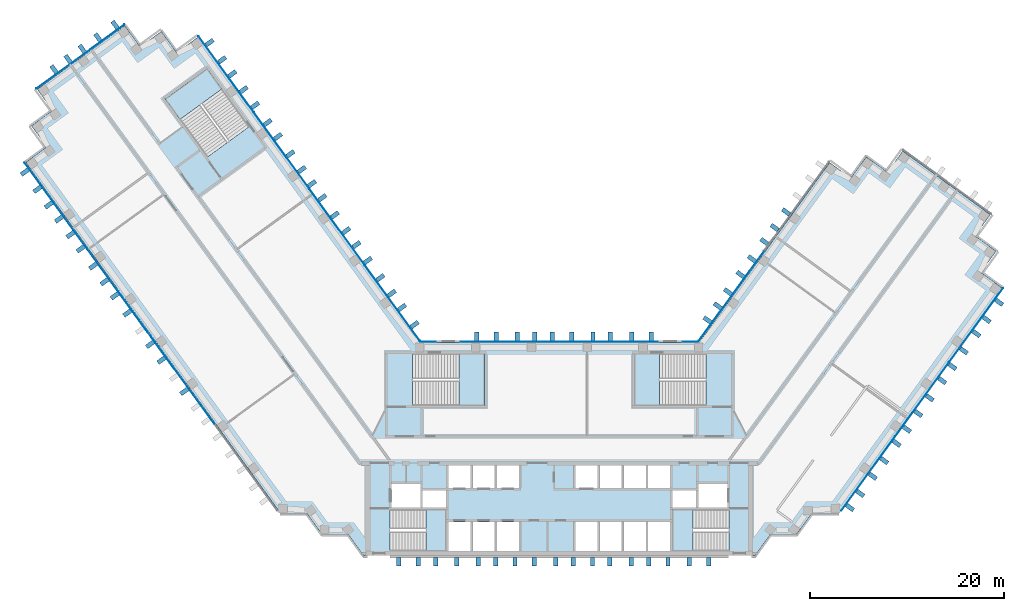
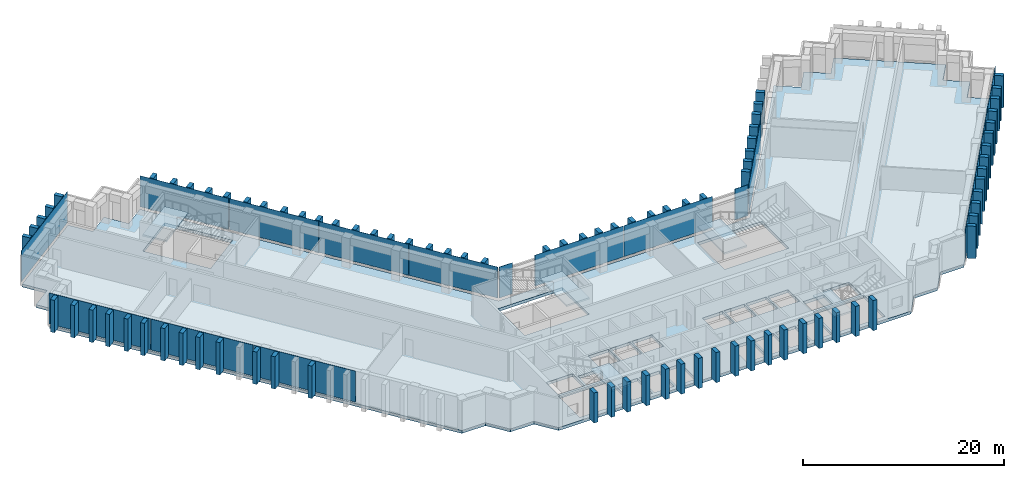
"""IFC4 building model written with IfcOpenShell, lengths in metres."""

from ifc_helpers import new_model, si_unit, direction, frame, origin, origin_2d, place, context, subcontext, project, spatial, polyline, rectangle, outline, extrude, material, layer, layer_set, type_object, element, aggregate, save


model = new_model("IFC4")

# Units and contexts
model_context = context("Model", 3, precision=1e-05, world=origin(), true_north=direction((0.0, 1.0)))
body_context = subcontext(model_context, "Body", "Model", "MODEL_VIEW")
ifc_project = project(units=[si_unit("LENGTHUNIT", "METRE"), si_unit("AREAUNIT", "SQUARE_METRE"), si_unit("VOLUMEUNIT", "CUBIC_METRE"), si_unit("PLANEANGLEUNIT", "RADIAN"), si_unit("MASSUNIT", "GRAM", prefix="KILO")], contexts=[model_context])

# Site, building, storey
site_placement = place(None, origin())
site = spatial("IfcSite", under=ifc_project, at=site_placement, CompositionType="ELEMENT")
building_placement = place(site_placement, origin())
building = spatial("IfcBuilding", under=site, at=building_placement, Name="Quipu Civic Tower", CompositionType="ELEMENT")
storey_1_placement = place(building_placement, frame((0.0, 0.0, 109.0)))
storey_1 = spatial("IfcBuildingStorey", under=building, at=storey_1_placement, Name="L25", CompositionType="ELEMENT", Elevation=109.0)

# Slab
ifc_material_1 = material(Name="Concrete C40/50", Category="concrete")
ifc_layer_1 = layer(ifc_material_1, 0.35009765625)
ifc_layer_set_1 = layer_set([ifc_layer_1], Name="Concrete C40/50")
slab_type_1 = type_object("IfcSlabType", Name="Floor slab 350 C40/50", PredefinedType="FLOOR", material=ifc_layer_set_1)
slab_1_placement = place(storey_1_placement, frame((0.0, 0.0, -0.35009765625)))
element("IfcSlab", 1, at=slab_1_placement, inside=storey_1, type_object=slab_type_1, Name="Floor slab L25", PredefinedType="FLOOR", context=body_context, shape_type="SweptSolid", body=[
    extrude(outline(polyline([(27.909912109375, 29.60498046875), (30.094970703125, 28.014892578125), (31.68505859375, 30.199951171875), (33.864990234375, 28.614990234375), (35.455078125, 30.800048828125), (44.514892578125, 24.215087890625), (42.929931640625, 22.030029296875), (45.114990234375, 20.445068359375), (43.52490234375, 18.260009765625), (45.7099609375, 16.669921875), (28.780029296875, -6.6298828125), (26.080078125, -6.6298828125), (24.489990234375, -8.81494140625), (21.7900390625, -8.81494140625), (20.205078125, -11.0), (-20.205078125, -11.0), (-21.7900390625, -8.81494140625), (-24.489990234375, -8.81494140625), (-26.080078125, -6.6298828125), (-28.780029296875, -6.6298828125), (-55.114990234375, 29.614990234375), (-52.929931640625, 31.205078125), (-54.514892578125, 33.389892578125), (-52.3349609375, 34.97509765625), (-53.919921875, 37.159912109375), (-44.860107421875, 43.739990234375), (-43.27001953125, 41.56005859375), (-41.0849609375, 43.14501953125), (-39.5, 40.9599609375), (-37.31494140625, 42.550048828125), (-14.39501953125, 11.0), (14.39501953125, 11.0), (27.909912109375, 29.60498046875)]), holes=[polyline([(-11.449951171875, -7.5), (-11.449951171875, -10.5), (-9.14990234375, -10.5), (-9.14990234375, -7.5), (-11.449951171875, -7.5)]), polyline([(-8.949951171875, -7.5), (-8.949951171875, -10.5), (-6.64990234375, -10.5), (-6.64990234375, -7.5), (-8.949951171875, -7.5)]), polyline([(-6.449951171875, -7.5), (-6.449951171875, -10.5), (-4.14990234375, -10.5), (-4.14990234375, -7.5), (-6.449951171875, -7.5)]), polyline([(-11.705078125, -10.4951171875), (-11.705078125, -6.2548828125), (-17.4951171875, -6.2548828125), (-17.4951171875, -10.4951171875), (-11.705078125, -10.4951171875)]), polyline([(-11.699951171875, -4.25), (-14.10009765625, -4.25), (-14.10009765625, -6.0), (-11.699951171875, -6.0), (-11.699951171875, -4.25)]), polyline([(-17.35009765625, -3.60009765625), (-17.35009765625, -6.0), (-14.35009765625, -6.0), (-14.35009765625, -3.60009765625), (-17.35009765625, -3.60009765625)]), polyline([(-9.14990234375, -1.699951171875), (-11.449951171875, -1.699951171875), (-11.449951171875, -4.0), (-9.14990234375, -4.0), (-9.14990234375, -1.699951171875)]), polyline([(-6.64990234375, -1.699951171875), (-8.949951171875, -1.699951171875), (-8.949951171875, -4.0), (-6.64990234375, -4.0), (-6.64990234375, -1.699951171875)]), polyline([(-6.449951171875, -1.699951171875), (-6.449951171875, -4.0), (-4.14990234375, -4.0), (-4.14990234375, -1.699951171875), (-6.449951171875, -1.699951171875)]), polyline([(3.949951171875, -1.699951171875), (1.64990234375, -1.699951171875), (1.64990234375, -4.0), (3.949951171875, -4.0), (3.949951171875, -1.699951171875)]), polyline([(-7.7548828125, 4.5048828125), (-7.7548828125, 9.844970703125), (-15.14501953125, 9.844970703125), (-15.14501953125, 4.5048828125), (-7.7548828125, 4.5048828125)]), polyline([(-40.68505859375, 36.135009765625), (-36.344970703125, 30.159912109375), (-32.02490234375, 33.300048828125), (-36.364990234375, 39.27490234375), (-40.68505859375, 36.135009765625)]), polyline([(3.949951171875, -7.5), (1.64990234375, -7.5), (1.64990234375, -10.5), (3.949951171875, -10.5), (3.949951171875, -7.5)]), polyline([(6.449951171875, -7.5), (4.14990234375, -7.5), (4.14990234375, -10.5), (6.449951171875, -10.5), (6.449951171875, -7.5)]), polyline([(6.64990234375, -7.5), (6.64990234375, -10.5), (8.949951171875, -10.5), (8.949951171875, -7.5), (6.64990234375, -7.5)]), polyline([(11.449951171875, -7.5), (9.14990234375, -7.5), (9.14990234375, -10.5), (11.449951171875, -10.5), (11.449951171875, -7.5)]), polyline([(11.705078125, -6.2548828125), (11.705078125, -10.4951171875), (17.4951171875, -10.4951171875), (17.4951171875, -6.2548828125), (11.705078125, -6.2548828125)]), polyline([(11.699951171875, -4.25), (11.699951171875, -6.0), (14.10009765625, -6.0), (14.10009765625, -4.25), (11.699951171875, -4.25)]), polyline([(17.35009765625, -3.60009765625), (14.35009765625, -3.60009765625), (14.35009765625, -6.0), (17.35009765625, -6.0), (17.35009765625, -3.60009765625)]), polyline([(6.449951171875, -1.699951171875), (4.14990234375, -1.699951171875), (4.14990234375, -4.0), (6.449951171875, -4.0), (6.449951171875, -1.699951171875)]), polyline([(6.64990234375, -1.699951171875), (6.64990234375, -4.0), (8.949951171875, -4.0), (8.949951171875, -1.699951171875), (6.64990234375, -1.699951171875)]), polyline([(11.449951171875, -1.699951171875), (9.14990234375, -1.699951171875), (9.14990234375, -4.0), (11.449951171875, -4.0), (11.449951171875, -1.699951171875)]), polyline([(7.7548828125, 9.844970703125), (7.7548828125, 4.5048828125), (15.14501953125, 4.5048828125), (15.14501953125, 9.844970703125), (7.7548828125, 9.844970703125)])]), origin(), (0.0, 0.0, 1.0), 0.35009765625),
])

# Storey
storey_2_placement = place(building_placement, frame((0.0, 0.0, 113.0)))
storey_2 = spatial("IfcBuildingStorey", under=building, at=storey_2_placement, Name="L26", CompositionType="ELEMENT", Elevation=113.0)

# Curtain wall, plates
ifc_material_2 = material(Name="Insulated glass unit", Category="glass")
curtain_wall_type = type_object("IfcCurtainWallType", Name="Office curtain wall CW1", PredefinedType="NOTDEFINED", material=ifc_material_2)
curtain_wall_1_placement = place(storey_2_placement, origin())
curtain_wall_1 = element("IfcCurtainWall", 2, at=curtain_wall_1_placement, inside=storey_2, type_object=curtain_wall_type, Name="Office curtain wall CW1 L25 run 1", PredefinedType="NOTDEFINED")
ifc_material_3 = material(Name="Insulated glass unit", Category="glass")
ifc_layer_2 = layer(ifc_material_3, 0.028076171875)
ifc_layer_set_2 = layer_set([ifc_layer_2], Name="Insulated glass unit")
plate_type_1 = type_object("IfcPlateType", Name="Glass panel CW1", PredefinedType="CURTAIN_PANEL", material=ifc_layer_set_2)
plate_1_placement = place(storey_1_placement, frame((-17.224609375, 15.064697265625, 0.240234375), z_axis=(0.0, 0.0, 1.0), x_axis=(-0.587785887566, 0.809016532822, 0.0)))
plate_1 = element("IfcPlate", 3, at=plate_1_placement, inside=storey_1, type_object=plate_type_1, Name="CW1 panel 1.1", PredefinedType="CURTAIN_PANEL", context=body_context, shape_type="SweptSolid", body=[
    extrude(rectangle(XDim=9.64111328125, YDim=0.028076171875, at=origin_2d()), origin(), (0.0, 0.0, 1.0), 3.760009765625),
])
plate_2_placement = place(storey_1_placement, frame((-22.950439453125, 22.9453125, 0.240234375), z_axis=(0.0, 0.0, 1.0), x_axis=(-0.587785887566, 0.809016532822, 0.0)))
plate_2 = element("IfcPlate", 4, at=plate_2_placement, inside=storey_1, type_object=plate_type_1, Name="CW1 panel 2.1", PredefinedType="CURTAIN_PANEL", context=body_context, shape_type="SweptSolid", body=[
    extrude(rectangle(XDim=9.68115234375, YDim=0.028076171875, at=origin_2d()), origin(), (0.0, 0.0, 1.0), 3.760009765625),
])
plate_3_placement = place(storey_1_placement, frame((-28.687744140625, 30.84228515625, 0.240234375), z_axis=(0.0, 0.0, 1.0), x_axis=(-0.587785887566, 0.809016532822, 0.0)))
plate_3 = element("IfcPlate", 5, at=plate_3_placement, inside=storey_1, type_object=plate_type_1, Name="CW1 panel 3.1", PredefinedType="CURTAIN_PANEL", context=body_context, shape_type="SweptSolid", body=[
    extrude(rectangle(XDim=9.68115234375, YDim=0.028076171875, at=origin_2d()), origin(), (0.0, 0.0, 1.0), 3.760009765625),
])
plate_4_placement = place(storey_1_placement, frame((-34.413330078125, 38.722900390625, 0.240234375), z_axis=(0.0, 0.0, 1.0), x_axis=(-0.587785887566, 0.809016532822, 0.0)))
plate_4 = element("IfcPlate", 6, at=plate_4_placement, inside=storey_1, type_object=plate_type_1, Name="CW1 panel 4.1", PredefinedType="CURTAIN_PANEL", context=body_context, shape_type="SweptSolid", body=[
    extrude(rectangle(XDim=9.64111328125, YDim=0.028076171875, at=origin_2d()), origin(), (0.0, 0.0, 1.0), 3.760009765625),
])
aggregate(curtain_wall_1, [plate_1, plate_2, plate_3, plate_4])

# Curtain wall, plate
curtain_wall_2_placement = place(storey_2_placement, origin())
curtain_wall_2 = element("IfcCurtainWall", 7, at=curtain_wall_2_placement, inside=storey_2, type_object=curtain_wall_type, Name="Office curtain wall CW1 L25 run 6", PredefinedType="NOTDEFINED")
plate_5_placement = place(storey_1_placement, frame((-49.447998046875, 40.53173828125, 0.240234375), z_axis=(0.0, 0.0, 1.0), x_axis=(-0.809019348124, -0.587782012621, 0.0)))
plate_5 = element("IfcPlate", 8, at=plate_5_placement, inside=storey_1, type_object=plate_type_1, Name="CW1 panel 1.1", PredefinedType="CURTAIN_PANEL", context=body_context, shape_type="SweptSolid", body=[
    extrude(rectangle(XDim=11.239990234375, YDim=0.028076171875, at=origin_2d()), origin(), (0.0, 0.0, 1.0), 3.760009765625),
])
aggregate(curtain_wall_2, [plate_5])

# Curtain wall, plates
curtain_wall_3_placement = place(storey_2_placement, origin())
curtain_wall_3 = element("IfcCurtainWall", 9, at=curtain_wall_3_placement, inside=storey_2, type_object=curtain_wall_type, Name="Office curtain wall CW1 L25 run 11", PredefinedType="NOTDEFINED")
plate_6_placement = place(storey_1_placement, frame((-51.967529296875, 25.114990234375, 0.240234375), z_axis=(0.0, 0.0, 1.0), x_axis=(0.587785559869, -0.809016770908, 0.0)))
plate_6 = element("IfcPlate", 10, at=plate_6_placement, inside=storey_1, type_object=plate_type_1, Name="CW1 panel 1.1", PredefinedType="CURTAIN_PANEL", context=body_context, shape_type="SweptSolid", body=[
    extrude(rectangle(XDim=11.022705078125, YDim=0.028076171875, at=origin_2d()), origin(), (0.0, 0.0, 1.0), 3.760009765625),
])
plate_7_placement = place(storey_1_placement, frame((-45.4296875, 16.11669921875, 0.240234375), z_axis=(0.0, 0.0, 1.0), x_axis=(0.587785559869, -0.809016770908, 0.0)))
plate_7 = element("IfcPlate", 11, at=plate_7_placement, inside=storey_1, type_object=plate_type_1, Name="CW1 panel 2.1", PredefinedType="CURTAIN_PANEL", context=body_context, shape_type="SweptSolid", body=[
    extrude(rectangle(XDim=11.062744140625, YDim=0.028076171875, at=origin_2d()), origin(), (0.0, 0.0, 1.0), 3.760009765625),
])
plate_8_placement = place(storey_1_placement, frame((-38.880126953125, 7.101806640625, 0.240234375), z_axis=(0.0, 0.0, 1.0), x_axis=(0.587785559869, -0.809016770908, 0.0)))
plate_8 = element("IfcPlate", 12, at=plate_8_placement, inside=storey_1, type_object=plate_type_1, Name="CW1 panel 3.1", PredefinedType="CURTAIN_PANEL", context=body_context, shape_type="SweptSolid", body=[
    extrude(rectangle(XDim=11.062744140625, YDim=0.028076171875, at=origin_2d()), origin(), (0.0, 0.0, 1.0), 3.760009765625),
])
aggregate(curtain_wall_3, [plate_6, plate_7, plate_8])

curtain_wall_4_placement = place(storey_2_placement, origin())
curtain_wall_4 = element("IfcCurtainWall", 13, at=curtain_wall_4_placement, inside=storey_2, type_object=curtain_wall_type, Name="Office curtain wall CW1 L25 run 23", PredefinedType="NOTDEFINED")
plate_9_placement = place(storey_1_placement, frame((31.86669921875, -2.551513671875, 0.240234375), z_axis=(0.0, 0.0, 1.0), x_axis=(0.587785375786, 0.809016904652, 0.0)))
plate_9 = element("IfcPlate", 14, at=plate_9_placement, inside=storey_1, type_object=plate_type_1, Name="CW1 panel 1.1", PredefinedType="CURTAIN_PANEL", context=body_context, shape_type="SweptSolid", body=[
    extrude(rectangle(XDim=9.403564453125, YDim=0.028076171875, at=origin_2d()), origin(), (0.0, 0.0, 1.0), 3.760009765625),
])
plate_10_placement = place(storey_1_placement, frame((37.45263671875, 5.13720703125, 0.240234375), z_axis=(0.0, 0.0, 1.0), x_axis=(0.587785375786, 0.809016904652, 0.0)))
plate_10 = element("IfcPlate", 15, at=plate_10_placement, inside=storey_1, type_object=plate_type_1, Name="CW1 panel 2.1", PredefinedType="CURTAIN_PANEL", context=body_context, shape_type="SweptSolid", body=[
    extrude(rectangle(XDim=9.443603515625, YDim=0.028076171875, at=origin_2d()), origin(), (0.0, 0.0, 1.0), 3.760009765625),
])
plate_11_placement = place(storey_1_placement, frame((43.038818359375, 12.82568359375, 0.240234375), z_axis=(0.0, 0.0, 1.0), x_axis=(0.587785375786, 0.809016904652, 0.0)))
plate_11 = element("IfcPlate", 16, at=plate_11_placement, inside=storey_1, type_object=plate_type_1, Name="CW1 panel 3.1", PredefinedType="CURTAIN_PANEL", context=body_context, shape_type="SweptSolid", body=[
    extrude(rectangle(XDim=9.403564453125, YDim=0.028076171875, at=origin_2d()), origin(), (0.0, 0.0, 1.0), 3.760009765625),
])
aggregate(curtain_wall_4, [plate_9, plate_10, plate_11])

# Curtain wall, plate
curtain_wall_5_placement = place(storey_2_placement, origin())
curtain_wall_5 = element("IfcCurtainWall", 17, at=curtain_wall_5_placement, inside=storey_2, type_object=curtain_wall_type, Name="Office curtain wall CW1 L25 run 30", PredefinedType="NOTDEFINED")
plate_12_placement = place(storey_1_placement, frame((17.7421875, 15.777099609375, 0.240234375), z_axis=(0.0, 0.0, 1.0), x_axis=(-0.587788727052, -0.809014469803, 0.0)))
plate_12 = element("IfcPlate", 18, at=plate_12_placement, inside=storey_1, type_object=plate_type_1, Name="CW1 panel 2.1", PredefinedType="CURTAIN_PANEL", context=body_context, shape_type="SweptSolid", body=[
    extrude(rectangle(XDim=11.402099609375, YDim=0.028076171875, at=origin_2d()), origin(), (0.0, 0.0, 1.0), 3.760009765625),
])
aggregate(curtain_wall_5, [plate_12])

curtain_wall_6_placement = place(storey_2_placement, origin())
curtain_wall_6 = element("IfcCurtainWall", 19, at=curtain_wall_6_placement, inside=storey_2, type_object=curtain_wall_type, Name="Office curtain wall CW1 L25 run 31", PredefinedType="NOTDEFINED")
plate_13_placement = place(storey_1_placement, frame((13.49951171875, 11.10009765625, 0.240234375), z_axis=(0.0, 0.0, 1.0), x_axis=(-1.0, 0.0, 0.0)))
plate_13 = element("IfcPlate", 20, at=plate_13_placement, inside=storey_1, type_object=plate_type_1, Name="CW1 panel 1.1", PredefinedType="CURTAIN_PANEL", context=body_context, shape_type="SweptSolid", body=[
    extrude(rectangle(XDim=1.529296875, YDim=0.028076171875, at=origin_2d()), origin(), (0.0, 0.0, 1.0), 3.760009765625),
])
aggregate(curtain_wall_6, [plate_13])

# Curtain wall, plates
curtain_wall_7_placement = place(storey_2_placement, origin())
curtain_wall_7 = element("IfcCurtainWall", 21, at=curtain_wall_7_placement, inside=storey_2, type_object=curtain_wall_type, Name="Office curtain wall CW1 L25 run 33", PredefinedType="NOTDEFINED")
plate_14_placement = place(storey_1_placement, frame((5.11181640625, 11.10009765625, 0.240234375), z_axis=(0.0, 0.0, 1.0), x_axis=(-1.0, 0.0, 0.0)))
plate_14 = element("IfcPlate", 22, at=plate_14_placement, inside=storey_1, type_object=plate_type_1, Name="CW1 panel 1.1", PredefinedType="CURTAIN_PANEL", context=body_context, shape_type="SweptSolid", body=[
    extrude(rectangle(XDim=10.1435546875, YDim=0.028076171875, at=origin_2d()), origin(), (0.0, 0.0, 1.0), 3.760009765625),
])
plate_15_placement = place(storey_1_placement, frame((-5.11181640625, 11.10009765625, 0.240234375), z_axis=(0.0, 0.0, 1.0), x_axis=(-1.0, 0.0, 0.0)))
plate_15 = element("IfcPlate", 23, at=plate_15_placement, inside=storey_1, type_object=plate_type_1, Name="CW1 panel 2.1", PredefinedType="CURTAIN_PANEL", context=body_context, shape_type="SweptSolid", body=[
    extrude(rectangle(XDim=10.1435546875, YDim=0.028076171875, at=origin_2d()), origin(), (0.0, 0.0, 1.0), 3.760009765625),
])
aggregate(curtain_wall_7, [plate_14, plate_15])

# Curtain wall, plate
curtain_wall_8_placement = place(storey_2_placement, origin())
curtain_wall_8 = element("IfcCurtainWall", 24, at=curtain_wall_8_placement, inside=storey_2, type_object=curtain_wall_type, Name="Office curtain wall CW1 L25 run 35", PredefinedType="NOTDEFINED")
plate_16_placement = place(storey_1_placement, frame((-13.49951171875, 11.10009765625, 0.240234375), z_axis=(0.0, 0.0, 1.0), x_axis=(-1.0, 0.0, 0.0)))
plate_16 = element("IfcPlate", 25, at=plate_16_placement, inside=storey_1, type_object=plate_type_1, Name="CW1 panel 1.1", PredefinedType="CURTAIN_PANEL", context=body_context, shape_type="SweptSolid", body=[
    extrude(rectangle(XDim=1.529296875, YDim=0.028076171875, at=origin_2d()), origin(), (0.0, 0.0, 1.0), 3.760009765625),
])
aggregate(curtain_wall_8, [plate_16])

# Plates
ifc_material_4 = material(Name="Precast concrete C40/50", Category="concrete")
plate_type_2 = type_object("IfcPlateType", Name="Precast fin F1", PredefinedType="SHEET", material=ifc_material_4)
for number, where, z_axis, x_axis, name in (
    (26, (-14.942138671875, 12.8583984375, 0.080078125), (0.0, 0.0, 1.0), (-0.587784944053, 0.809017218324, 0.0), "Precast fin F1 L25.1.1"),
    (27, (-16.235107421875, 14.638427734375, 0.080078125), (0.0, 0.0, 1.0), (-0.587784944053, 0.809017218324, 0.0), "Precast fin F1 L25.1.2"),
    (28, (-17.293212890625, 16.094482421875, 0.080078125), (0.0, 0.0, 1.0), (-0.587784944053, 0.809017218324, 0.0), "Precast fin F1 L25.1.3"),
    (29, (-18.46875, 17.712646484375, 0.080078125), (0.0, 0.0, 1.0), (-0.587784944053, 0.809017218324, 0.0), "Precast fin F1 L25.1.4"),
    (30, (-19.761962890625, 19.492431640625, 0.080078125), (0.0, 0.0, 1.0), (-0.587784944053, 0.809017218324, 0.0), "Precast fin F1 L25.1.5"),
    (31, (-20.9375, 21.110595703125, 0.080078125), (0.0, 0.0, 1.0), (-0.587784944053, 0.809017218324, 0.0), "Precast fin F1 L25.1.6"),
    (32, (-21.995361328125, 22.566650390625, 0.080078125), (0.0, 0.0, 1.0), (-0.587784944053, 0.809017218324, 0.0), "Precast fin F1 L25.1.7"),
    (33, (-23.171142578125, 24.184814453125, 0.080078125), (0.0, 0.0, 1.0), (-0.587784944053, 0.809017218324, 0.0), "Precast fin F1 L25.1.8"),
    (34, (-24.464111328125, 25.964599609375, 0.080078125), (0.0, 0.0, 1.0), (-0.587784944053, 0.809017218324, 0.0), "Precast fin F1 L25.1.9"),
    (35, (-25.522216796875, 27.4208984375, 0.080078125), (0.0, 0.0, 1.0), (-0.587784944053, 0.809017218324, 0.0), "Precast fin F1 L25.1.10"),
    (36, (-26.580078125, 28.876953125, 0.080078125), (0.0, 0.0, 1.0), (-0.587784944053, 0.809017218324, 0.0), "Precast fin F1 L25.1.11"),
    (37, (-27.755859375, 30.4951171875, 0.080078125), (0.0, 0.0, 1.0), (-0.587784944053, 0.809017218324, 0.0), "Precast fin F1 L25.1.12"),
    (38, (-29.048828125, 32.27490234375, 0.080078125), (0.0, 0.0, 1.0), (-0.587784944053, 0.809017218324, 0.0), "Precast fin F1 L25.1.13"),
    (39, (-30.10693359375, 33.731201171875, 0.080078125), (0.0, 0.0, 1.0), (-0.587784944053, 0.809017218324, 0.0), "Precast fin F1 L25.1.14"),
    (40, (-31.400146484375, 35.510986328125, 0.080078125), (0.0, 0.0, 1.0), (-0.587784944053, 0.809017218324, 0.0), "Precast fin F1 L25.1.15"),
    (41, (-32.57568359375, 37.129150390625, 0.080078125), (0.0, 0.0, 1.0), (-0.587784944053, 0.809017218324, 0.0), "Precast fin F1 L25.1.16"),
    (42, (-33.751220703125, 38.7470703125, 0.080078125), (0.0, 0.0, 1.0), (-0.587784944053, 0.809017218324, 0.0), "Precast fin F1 L25.1.17"),
    (43, (-34.80908203125, 40.203369140625, 0.080078125), (0.0, 0.0, 1.0), (-0.587784944053, 0.809017218324, 0.0), "Precast fin F1 L25.1.18"),
    (44, (-36.102294921875, 41.983154296875, 0.080078125), (0.0, 0.0, 1.0), (-0.587784944053, 0.809017218324, 0.0), "Precast fin F1 L25.1.19"),
    (45, (-45.867919921875, 43.812744140625, 0.080078125), (0.0, 0.0, 1.0), (-0.809021318545, -0.587779300537, 0.0), "Precast fin F1 L25.6.1"),
    (46, (-47.647705078125, 42.51953125, 0.080078125), (0.0, 0.0, 1.0), (-0.809021318545, -0.587779300537, 0.0), "Precast fin F1 L25.6.2"),
    (47, (-49.265625, 41.343994140625, 0.080078125), (0.0, 0.0, 1.0), (-0.809021318545, -0.587779300537, 0.0), "Precast fin F1 L25.6.3"),
    (48, (-50.721923828125, 40.2861328125, 0.080078125), (0.0, 0.0, 1.0), (-0.809021318545, -0.587779300537, 0.0), "Precast fin F1 L25.6.4"),
    (49, (-52.17822265625, 39.22802734375, 0.080078125), (0.0, 0.0, 1.0), (-0.809021318545, -0.587779300537, 0.0), "Precast fin F1 L25.6.5"),
    (50, (-55.184814453125, 28.607421875, 0.080078125), (0.0, 0.0, 1.0), (0.587785716149, -0.809016657363, 0.0), "Precast fin F1 L25.11.1"),
    (51, (-53.8916015625, 26.82763671875, 0.080078125), (0.0, 0.0, 1.0), (0.587785716149, -0.809016657363, 0.0), "Precast fin F1 L25.11.2"),
    (52, (-52.716064453125, 25.20947265625, 0.080078125), (0.0, 0.0, 1.0), (0.587785716149, -0.809016657363, 0.0), "Precast fin F1 L25.11.3"),
    (53, (-51.657958984375, 23.75341796875, 0.080078125), (0.0, 0.0, 1.0), (0.587785716149, -0.809016657363, 0.0), "Precast fin F1 L25.11.4"),
    (54, (-50.482421875, 22.13525390625, 0.080078125), (0.0, 0.0, 1.0), (0.587785716149, -0.809016657363, 0.0), "Precast fin F1 L25.11.5"),
    (55, (-49.42431640625, 20.67919921875, 0.080078125), (0.0, 0.0, 1.0), (0.587785716149, -0.809016657363, 0.0), "Precast fin F1 L25.11.6"),
    (56, (-48.13134765625, 18.899169921875, 0.080078125), (0.0, 0.0, 1.0), (0.587785716149, -0.809016657363, 0.0), "Precast fin F1 L25.11.7"),
    (57, (-46.955810546875, 17.28125, 0.080078125), (0.0, 0.0, 1.0), (0.587785716149, -0.809016657363, 0.0), "Precast fin F1 L25.11.8"),
    (58, (-45.897705078125, 15.824951171875, 0.080078125), (0.0, 0.0, 1.0), (0.587785716149, -0.809016657363, 0.0), "Precast fin F1 L25.11.9"),
    (59, (-44.6044921875, 14.045166015625, 0.080078125), (0.0, 0.0, 1.0), (0.587785716149, -0.809016657363, 0.0), "Precast fin F1 L25.11.10"),
    (60, (-42.25341796875, 10.80908203125, 0.080078125), (0.0, 0.0, 1.0), (0.587785716149, -0.809016657363, 0.0), "Precast fin F1 L25.11.12"),
    (61, (-41.077880859375, 9.191162109375, 0.080078125), (0.0, 0.0, 1.0), (0.587785716149, -0.809016657363, 0.0), "Precast fin F1 L25.11.13"),
    (62, (-38.726806640625, 5.955078125, 0.080078125), (0.0, 0.0, 1.0), (0.587785716149, -0.809016657363, 0.0), "Precast fin F1 L25.11.15"),
):
    element("IfcPlate", number, at=place(storey_1_placement, frame(where, z_axis=z_axis, x_axis=x_axis)), inside=storey_1, type_object=plate_type_2, Name=name, PredefinedType="SHEET", context=body_context, shape_type="SweptSolid", body=[
        extrude(rectangle(XDim=0.449951171875, YDim=0.89990234375, at=origin_2d()), origin(), (0.0, 0.0, 1.0), 3.919921875),
    ])
for number, where, z_axis, x_axis, name in (
    (63, (-16.574951171875, -11.637939453125, 0.0), (0.0, 0.0, 1.0), (1.0, 0.0, 0.0), "Precast fin F1 L25.17.1"),
    (64, (-14.574951171875, -11.637939453125, 0.0), (0.0, 0.0, 1.0), (1.0, 0.0, 0.0), "Precast fin F1 L25.17.2"),
    (65, (-12.77490234375, -11.637939453125, 0.0), (0.0, 0.0, 1.0), (1.0, 0.0, 0.0), "Precast fin F1 L25.17.3"),
    (66, (-10.574951171875, -11.637939453125, 0.0), (0.0, 0.0, 1.0), (1.0, 0.0, 0.0), "Precast fin F1 L25.17.4"),
    (67, (-8.375, -11.637939453125, 0.0), (0.0, 0.0, 1.0), (1.0, 0.0, 0.0), "Precast fin F1 L25.17.5"),
    (68, (-6.574951171875, -11.637939453125, 0.0), (0.0, 0.0, 1.0), (1.0, 0.0, 0.0), "Precast fin F1 L25.17.6"),
    (69, (-4.574951171875, -11.637939453125, 0.0), (0.0, 0.0, 1.0), (1.0, 0.0, 0.0), "Precast fin F1 L25.17.7"),
    (70, (-2.574951171875, -11.637939453125, 0.0), (0.0, 0.0, 1.0), (1.0, 0.0, 0.0), "Precast fin F1 L25.17.8"),
    (71, (-0.375, -11.637939453125, 0.0), (0.0, 0.0, 1.0), (1.0, 0.0, 0.0), "Precast fin F1 L25.17.9"),
    (72, (1.425048828125, -11.637939453125, 0.0), (0.0, 0.0, 1.0), (1.0, 0.0, 0.0), "Precast fin F1 L25.17.10"),
    (73, (3.425048828125, -11.637939453125, 0.0), (0.0, 0.0, 1.0), (1.0, 0.0, 0.0), "Precast fin F1 L25.17.11"),
    (74, (5.22509765625, -11.637939453125, 0.0), (0.0, 0.0, 1.0), (1.0, 0.0, 0.0), "Precast fin F1 L25.17.12"),
    (75, (7.425048828125, -11.637939453125, 0.0), (0.0, 0.0, 1.0), (1.0, 0.0, 0.0), "Precast fin F1 L25.17.13"),
    (76, (9.22509765625, -11.637939453125, 0.0), (0.0, 0.0, 1.0), (1.0, 0.0, 0.0), "Precast fin F1 L25.17.14"),
    (77, (11.22509765625, -11.637939453125, 0.0), (0.0, 0.0, 1.0), (1.0, 0.0, 0.0), "Precast fin F1 L25.17.15"),
    (78, (13.425048828125, -11.637939453125, 0.0), (0.0, 0.0, 1.0), (1.0, 0.0, 0.0), "Precast fin F1 L25.17.16"),
    (79, (15.425048828125, -11.637939453125, 0.0), (0.0, 0.0, 1.0), (1.0, 0.0, 0.0), "Precast fin F1 L25.17.17"),
):
    element("IfcPlate", number, at=place(storey_1_placement, frame(where, z_axis=z_axis, x_axis=x_axis)), inside=storey_1, type_object=plate_type_2, Name=name, PredefinedType="SHEET", context=body_context, shape_type="SweptSolid", body=[
        extrude(rectangle(XDim=0.449951171875, YDim=0.89990234375, at=origin_2d()), origin(), (0.0, 0.0, 1.0), 3.64990234375),
    ])
for number, where, z_axis, x_axis, name in (
    (80, (30.014404296875, -6.036376953125, 0.080078125), (0.0, 0.0, 1.0), (0.587785620359, 0.809016726959, 0.0), "Precast fin F1 L25.23.1"),
    (81, (31.072509765625, -4.580078125, 0.080078125), (0.0, 0.0, 1.0), (0.587785620359, 0.809016726959, 0.0), "Precast fin F1 L25.23.2"),
    (82, (32.36572265625, -2.80029296875, 0.080078125), (0.0, 0.0, 1.0), (0.587785620359, 0.809016726959, 0.0), "Precast fin F1 L25.23.3"),
    (83, (33.541259765625, -1.18212890625, 0.080078125), (0.0, 0.0, 1.0), (0.587785620359, 0.809016726959, 0.0), "Precast fin F1 L25.23.4"),
    (84, (34.834228515625, 0.59765625, 0.080078125), (0.0, 0.0, 1.0), (0.587785620359, 0.809016726959, 0.0), "Precast fin F1 L25.23.5"),
    (85, (35.892333984375, 2.0537109375, 0.080078125), (0.0, 0.0, 1.0), (0.587785620359, 0.809016726959, 0.0), "Precast fin F1 L25.23.6"),
    (86, (37.06787109375, 3.671875, 0.080078125), (0.0, 0.0, 1.0), (0.587785620359, 0.809016726959, 0.0), "Precast fin F1 L25.23.7"),
    (87, (38.243408203125, 5.289794921875, 0.080078125), (0.0, 0.0, 1.0), (0.587785620359, 0.809016726959, 0.0), "Precast fin F1 L25.23.8"),
    (88, (39.53662109375, 7.06982421875, 0.080078125), (0.0, 0.0, 1.0), (0.587785620359, 0.809016726959, 0.0), "Precast fin F1 L25.23.9"),
    (89, (40.5947265625, 8.52587890625, 0.080078125), (0.0, 0.0, 1.0), (0.587785620359, 0.809016726959, 0.0), "Precast fin F1 L25.23.10"),
    (90, (41.770263671875, 10.14404296875, 0.080078125), (0.0, 0.0, 1.0), (0.587785620359, 0.809016726959, 0.0), "Precast fin F1 L25.23.11"),
    (91, (43.063232421875, 11.923828125, 0.080078125), (0.0, 0.0, 1.0), (0.587785620359, 0.809016726959, 0.0), "Precast fin F1 L25.23.12"),
    (92, (44.121337890625, 13.380126953125, 0.080078125), (0.0, 0.0, 1.0), (0.587785620359, 0.809016726959, 0.0), "Precast fin F1 L25.23.13"),
    (93, (45.41455078125, 15.159912109375, 0.080078125), (0.0, 0.0, 1.0), (0.587785620359, 0.809016726959, 0.0), "Precast fin F1 L25.23.14"),
    (94, (23.4033203125, 24.50439453125, 0.080078125), (0.0, 0.0, 1.0), (-0.587787133119, -0.809015627871, 0.0), "Precast fin F1 L25.30.4"),
    (95, (22.227783203125, 22.886474609375, 0.080078125), (0.0, 0.0, 1.0), (-0.587787133119, -0.809015627871, 0.0), "Precast fin F1 L25.30.5"),
    (96, (21.169677734375, 21.43017578125, 0.080078125), (0.0, 0.0, 1.0), (-0.587787133119, -0.809015627871, 0.0), "Precast fin F1 L25.30.6"),
    (97, (19.876708984375, 19.650390625, 0.080078125), (0.0, 0.0, 1.0), (-0.587787133119, -0.809015627871, 0.0), "Precast fin F1 L25.30.7"),
    (98, (18.701171875, 18.032470703125, 0.080078125), (0.0, 0.0, 1.0), (-0.587787133119, -0.809015627871, 0.0), "Precast fin F1 L25.30.8"),
    (99, (17.407958984375, 16.25244140625, 0.080078125), (0.0, 0.0, 1.0), (-0.587787133119, -0.809015627871, 0.0), "Precast fin F1 L25.30.9"),
    (100, (16.349853515625, 14.79638671875, 0.080078125), (0.0, 0.0, 1.0), (-0.587787133119, -0.809015627871, 0.0), "Precast fin F1 L25.30.10"),
    (101, (15.2919921875, 13.340087890625, 0.080078125), (0.0, 0.0, 1.0), (-0.587787133119, -0.809015627871, 0.0), "Precast fin F1 L25.30.11"),
    (102, (9.47509765625, 11.64990234375, 0.080078125), (0.0, 0.0, 1.0), (-1.0, 0.0, 0.0), "Precast fin F1 L25.33.1"),
    (103, (7.47509765625, 11.64990234375, 0.080078125), (0.0, 0.0, 1.0), (-1.0, 0.0, 0.0), "Precast fin F1 L25.33.2"),
    (104, (5.27490234375, 11.64990234375, 0.080078125), (0.0, 0.0, 1.0), (-1.0, 0.0, 0.0), "Precast fin F1 L25.33.3"),
    (105, (3.47509765625, 11.64990234375, 0.080078125), (0.0, 0.0, 1.0), (-1.0, 0.0, 0.0), "Precast fin F1 L25.33.4"),
    (106, (1.27490234375, 11.64990234375, 0.080078125), (0.0, 0.0, 1.0), (-1.0, 0.0, 0.0), "Precast fin F1 L25.33.5"),
    (107, (-0.72509765625, 11.64990234375, 0.080078125), (0.0, 0.0, 1.0), (-1.0, 0.0, 0.0), "Precast fin F1 L25.33.6"),
    (108, (-2.52490234375, 11.64990234375, 0.080078125), (0.0, 0.0, 1.0), (-1.0, 0.0, 0.0), "Precast fin F1 L25.33.7"),
    (109, (-4.324951171875, 11.64990234375, 0.080078125), (0.0, 0.0, 1.0), (-1.0, 0.0, 0.0), "Precast fin F1 L25.33.8"),
    (110, (-6.52490234375, 11.64990234375, 0.080078125), (0.0, 0.0, 1.0), (-1.0, 0.0, 0.0), "Precast fin F1 L25.33.9"),
    (111, (-8.52490234375, 11.64990234375, 0.080078125), (0.0, 0.0, 1.0), (-1.0, 0.0, 0.0), "Precast fin F1 L25.33.10"),
):
    element("IfcPlate", number, at=place(storey_1_placement, frame(where, z_axis=z_axis, x_axis=x_axis)), inside=storey_1, type_object=plate_type_2, Name=name, PredefinedType="SHEET", context=body_context, shape_type="SweptSolid", body=[
        extrude(rectangle(XDim=0.449951171875, YDim=0.89990234375, at=origin_2d()), origin(), (0.0, 0.0, 1.0), 3.919921875),
    ])

# Stair, slab
ifc_material_5 = material(Name="Concrete C40/50", Category="concrete")
stair_type_1 = type_object("IfcStairType", Name="Half turn stair 2000", PredefinedType="HALF_TURN_STAIR", material=ifc_material_5)
stair_1_placement = place(storey_1_placement, origin())
stair_1 = element("IfcStair", 112, at=stair_1_placement, inside=storey_1, type_object=stair_type_1, Name="Exit stair 1", PredefinedType="HALF_TURN_STAIR")
ifc_material_6 = material(Name="Concrete C40/50", Category="concrete")
ifc_layer_3 = layer(ifc_material_6, 0.199951171875)
ifc_layer_set_3 = layer_set([ifc_layer_3], Name="Concrete C40/50")
slab_type_2 = type_object("IfcSlabType", Name="Stair landing 200", PredefinedType="LANDING", material=ifc_layer_set_3)
slab_2_placement = place(storey_1_placement, frame((0.0, 0.0, 1.800048828125)))
slab_2 = element("IfcSlab", 113, at=slab_2_placement, type_object=slab_type_2, Name="ST-1 landing 1", PredefinedType="LANDING", context=body_context, shape_type="SweptSolid", body=[
    extrude(outline(polyline([(-13.780029296875, -10.5), (-11.699951171875, -10.5), (-11.699951171875, -6.25), (-13.780029296875, -6.25), (-13.780029296875, -10.5)])), origin(), (0.0, 0.0, 1.0), 0.199951171875),
])
aggregate(stair_1, [slab_2])

stair_2_placement = place(storey_1_placement, origin())
stair_2 = element("IfcStair", 114, at=stair_2_placement, inside=storey_1, type_object=stair_type_1, Name="Exit stair 2", PredefinedType="HALF_TURN_STAIR")
slab_3_placement = place(storey_1_placement, frame((0.0, 0.0, 1.800048828125)))
slab_3 = element("IfcSlab", 115, at=slab_3_placement, type_object=slab_type_2, Name="ST-2 landing 1", PredefinedType="LANDING", context=body_context, shape_type="SweptSolid", body=[
    extrude(outline(polyline([(13.780029296875, -6.25), (11.699951171875, -6.25), (11.699951171875, -10.5), (13.780029296875, -10.5), (13.780029296875, -6.25)])), origin(), (0.0, 0.0, 1.0), 0.199951171875),
])
aggregate(stair_2, [slab_3])

ifc_material_7 = material(Name="Concrete C40/50", Category="concrete")
stair_type_2 = type_object("IfcStairType", Name="Half turn stair 2600", PredefinedType="HALF_TURN_STAIR", material=ifc_material_7)
stair_3_placement = place(storey_1_placement, origin())
stair_3 = element("IfcStair", 116, at=stair_3_placement, inside=storey_1, type_object=stair_type_2, Name="Exit stair 3", PredefinedType="HALF_TURN_STAIR")
slab_4_placement = place(storey_1_placement, frame((0.0, 0.0, 1.800048828125)))
slab_4 = element("IfcSlab", 117, at=slab_4_placement, type_object=slab_type_2, Name="ST-3 landing 1", PredefinedType="LANDING", context=body_context, shape_type="SweptSolid", body=[
    extrude(outline(polyline([(-10.35009765625, 4.5), (-7.75, 4.5), (-7.75, 9.85009765625), (-10.35009765625, 9.85009765625), (-10.35009765625, 4.5)])), origin(), (0.0, 0.0, 1.0), 0.199951171875),
])
aggregate(stair_3, [slab_4])

stair_4_placement = place(storey_1_placement, origin())
stair_4 = element("IfcStair", 118, at=stair_4_placement, inside=storey_1, type_object=stair_type_2, Name="Exit stair 4", PredefinedType="HALF_TURN_STAIR")
slab_5_placement = place(storey_1_placement, frame((0.0, 0.0, 1.800048828125)))
slab_5 = element("IfcSlab", 119, at=slab_5_placement, type_object=slab_type_2, Name="ST-4 landing 1", PredefinedType="LANDING", context=body_context, shape_type="SweptSolid", body=[
    extrude(outline(polyline([(10.35009765625, 9.85009765625), (7.75, 9.85009765625), (7.75, 4.5), (10.35009765625, 4.5), (10.35009765625, 9.85009765625)])), origin(), (0.0, 0.0, 1.0), 0.199951171875),
])
aggregate(stair_4, [slab_5])

stair_5_placement = place(storey_1_placement, origin())
stair_5 = element("IfcStair", 120, at=stair_5_placement, inside=storey_1, type_object=stair_type_2, Name="Exit stair 6", PredefinedType="HALF_TURN_STAIR")
slab_6_placement = place(storey_1_placement, frame((0.0, 0.0, 1.800048828125)))
slab_6 = element("IfcSlab", 121, at=slab_6_placement, type_object=slab_type_2, Name="ST-6 landing 1", PredefinedType="LANDING", context=body_context, shape_type="SweptSolid", body=[
    extrude(outline(polyline([(-34.837158203125, 37.179443359375), (-36.365478515625, 39.282958984375), (-40.69384765625, 36.138427734375), (-39.16552734375, 34.034912109375), (-34.837158203125, 37.179443359375)])), origin(), (0.0, 0.0, 1.0), 0.199951171875),
])
aggregate(stair_5, [slab_6])

save(model, "model.ifc")
